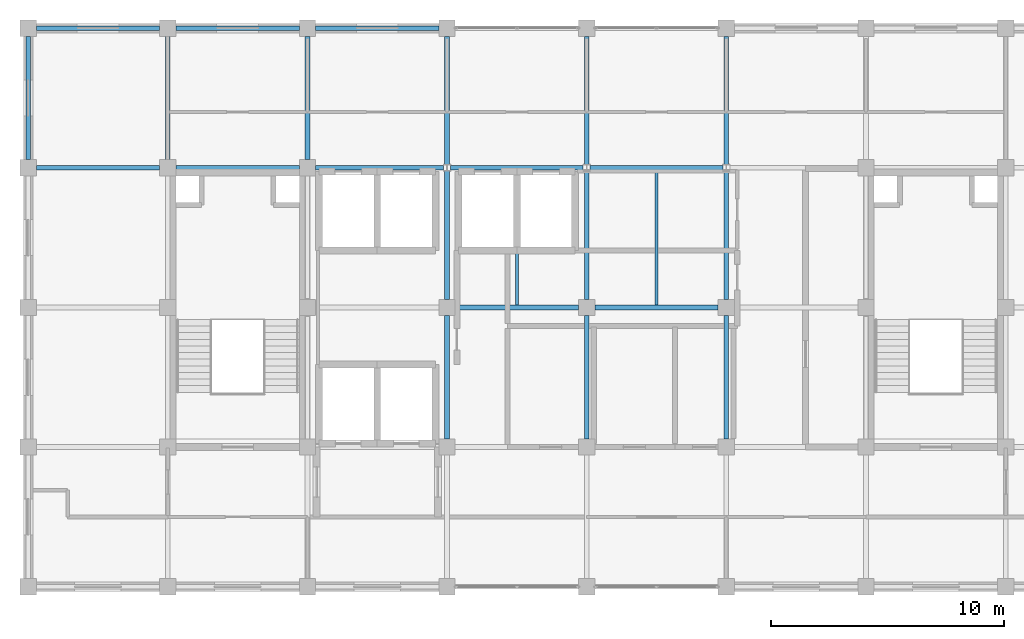
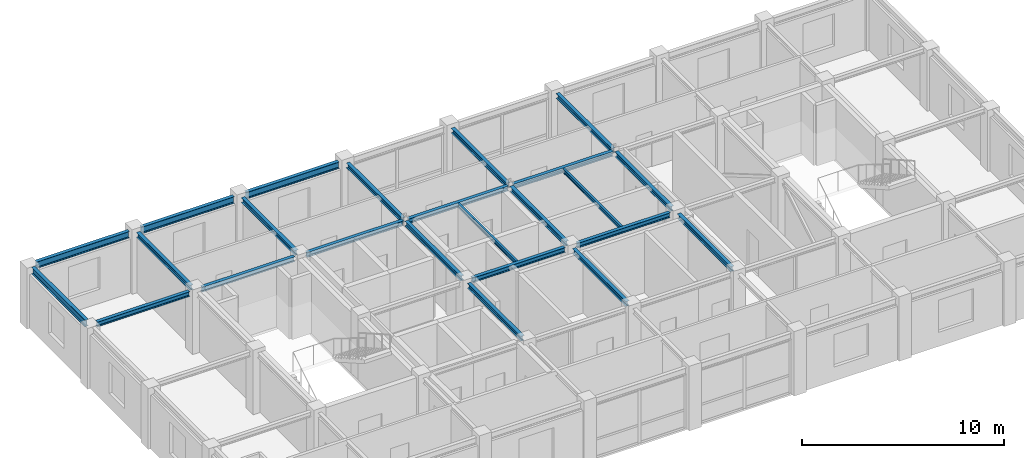
# One storey, part 5 of 11: 24 beams.
"""IFC4 building model written with IfcOpenShell, lengths in metres."""

from ifc_helpers import new_model, si_unit, direction, frame, origin, origin_2d, place, context, subcontext, project, spatial, i_section, extrude, material, material_profile, profile_set, type_object, element, save


model = new_model("IFC4")

# Units and contexts
model_context = context("Model", 3, precision=1e-05, world=origin(), true_north=direction((0.0, 1.0)))
body_context = subcontext(model_context, "Body", "Model", "MODEL_VIEW")
ifc_project = project(units=[si_unit("LENGTHUNIT", "METRE"), si_unit("AREAUNIT", "SQUARE_METRE"), si_unit("VOLUMEUNIT", "CUBIC_METRE"), si_unit("PLANEANGLEUNIT", "RADIAN"), si_unit("MASSUNIT", "GRAM", prefix="KILO")], contexts=[model_context])

# Site, building, storey
site_placement = place(None, origin())
site = spatial("IfcSite", under=ifc_project, at=site_placement, CompositionType="ELEMENT")
building_placement = place(site_placement, origin())
building = spatial("IfcBuilding", under=site, at=building_placement, Name="Zlatovratsky Civic Hall", CompositionType="ELEMENT")
storey_placement = place(building_placement, frame((0.0, 0.0, 63.89990234375)))
storey = spatial("IfcBuildingStorey", under=building, at=storey_placement, Name="L16", CompositionType="ELEMENT", Elevation=63.89990234375)

# Beams
ifc_material = material(Name="Steel S355", Category="steel")
ifc_material_profile_1 = material_profile(ifc_material, i_section(OverallWidth=0.199951171875, OverallDepth=0.39990234375, WebThickness=0.008056640625, FlangeThickness=0.012939453125, FilletRadius=0.014892578125, at=origin_2d()), Name="40B2")
ifc_profile_set_1 = profile_set([ifc_material_profile_1], Name="Steel S355")
beam_type_1 = type_object("IfcBeamType", Name="Beam_Spandrel_40B2", PredefinedType="SPANDREL", material=ifc_profile_set_1)
for number, where, z_axis, x_axis, name in (
    (1, (60.35009765625, 102.0, 3.460205078125), (1.0, 0.0, 0.0), (0.0, 1.0, 0.0), "BM-5147"),
    (2, (66.35009765625, 102.0, 3.460205078125), (1.0, 0.0, 0.0), (0.0, 1.0, 0.0), "BM-5148"),
    (3, (72.35009765625, 102.0, 3.460205078125), (1.0, 0.0, 0.0), (0.0, 1.0, 0.0), "BM-5149"),
    (4, (60.0, 96.35009765625, 3.460205078125), (0.0, 1.0, 0.0), (-1.0, 0.0, 0.0), "BM-5158"),
):
    element("IfcBeam", number, at=place(storey_placement, frame(where, z_axis=z_axis, x_axis=x_axis)), inside=storey, type_object=beam_type_1, Name=name, PredefinedType="SPANDREL", context=body_context, shape_type="SweptSolid", body=[
        extrude(i_section(OverallWidth=0.199951171875, OverallDepth=0.39990234375, WebThickness=0.008056640625, FlangeThickness=0.012939453125, FilletRadius=0.014892578125, at=origin_2d()), origin(), (0.0, 0.0, 1.0), 5.2998046875),
    ])
ifc_material_profile_2 = material_profile(ifc_material, i_section(OverallWidth=0.199951171875, OverallDepth=0.291015625, WebThickness=0.008056640625, FlangeThickness=0.010986328125, FilletRadius=0.01806640625, at=origin_2d()), Name="30Sh1")
ifc_profile_set_2 = profile_set([ifc_material_profile_2], Name="Steel S355")
beam_type_2 = type_object("IfcBeamType", Name="Beam_TowerHigh_30Sh1", PredefinedType="BEAM", material=ifc_profile_set_2)
for number, where, z_axis, x_axis, name in (
    (5, (78.35009765625, 90.0, 3.5146484375), (1.0, 0.0, 0.0), (0.0, 1.0, 0.0), "BM-5135"),
    (6, (84.35009765625, 90.0, 3.5146484375), (1.0, 0.0, 0.0), (0.0, 1.0, 0.0), "BM-5136"),
    (7, (60.35009765625, 96.0, 3.5146484375), (1.0, 0.0, 0.0), (0.0, 1.0, 0.0), "BM-5139"),
    (8, (66.35009765625, 96.0, 3.5146484375), (1.0, 0.0, 0.0), (0.0, 1.0, 0.0), "BM-5140"),
):
    element("IfcBeam", number, at=place(storey_placement, frame(where, z_axis=z_axis, x_axis=x_axis)), inside=storey, type_object=beam_type_2, Name=name, PredefinedType="BEAM", context=body_context, shape_type="SweptSolid", body=[
        extrude(i_section(OverallWidth=0.199951171875, OverallDepth=0.291015625, WebThickness=0.008056640625, FlangeThickness=0.010986328125, FilletRadius=0.01806640625, at=origin_2d()), origin(), (0.0, 0.0, 1.0), 5.2998046875),
    ])
beam_1_placement = place(storey_placement, frame((72.35009765625, 96.0, 3.5146484375), z_axis=(1.0, 0.0, 0.0), x_axis=(0.0, 1.0, 0.0)))
element("IfcBeam", 9, at=beam_1_placement, inside=storey, type_object=beam_type_2, Name="BM-5141", PredefinedType="BEAM", context=body_context, shape_type="SweptSolid", body=[
    extrude(i_section(OverallWidth=0.199951171875, OverallDepth=0.291015625, WebThickness=0.008056640625, FlangeThickness=0.010986328125, FilletRadius=0.01806640625, at=origin_2d()), origin(), (0.0, 0.0, 1.0), 5.50048828125),
])
for number, where, z_axis, x_axis, name in (
    (10, (78.1494140625, 96.0, 3.5146484375), (1.0, 0.0, 0.0), (0.0, 1.0, 0.0), "BM-5142"),
    (11, (84.1494140625, 96.0, 3.5146484375), (1.0, 0.0, 0.0), (0.0, 1.0, 0.0), "BM-5143"),
):
    element("IfcBeam", number, at=place(storey_placement, frame(where, z_axis=z_axis, x_axis=x_axis)), inside=storey, type_object=beam_type_2, Name=name, PredefinedType="BEAM", context=body_context, shape_type="SweptSolid", body=[
        extrude(i_section(OverallWidth=0.199951171875, OverallDepth=0.291015625, WebThickness=0.008056640625, FlangeThickness=0.010986328125, FilletRadius=0.01806640625, at=origin_2d()), origin(), (0.0, 0.0, 1.0), 5.701171875),
    ])
for number, where, z_axis, x_axis, name in (
    (12, (66.0, 96.35009765625, 3.5146484375), (0.0, 1.0, 0.0), (-1.0, 0.0, 0.0), "BM-5162"),
    (13, (72.0, 96.35009765625, 3.5146484375), (0.0, 1.0, 0.0), (-1.0, 0.0, 0.0), "BM-5166"),
    (14, (78.0, 84.35009765625, 3.5146484375), (0.0, 1.0, 0.0), (-1.0, 0.0, 0.0), "BM-5168"),
):
    element("IfcBeam", number, at=place(storey_placement, frame(where, z_axis=z_axis, x_axis=x_axis)), inside=storey, type_object=beam_type_2, Name=name, PredefinedType="BEAM", context=body_context, shape_type="SweptSolid", body=[
        extrude(i_section(OverallWidth=0.199951171875, OverallDepth=0.291015625, WebThickness=0.008056640625, FlangeThickness=0.010986328125, FilletRadius=0.01806640625, at=origin_2d()), origin(), (0.0, 0.0, 1.0), 5.2998046875),
    ])
for number, where, z_axis, x_axis, name in (
    (15, (78.0, 90.35009765625, 3.5146484375), (0.0, 1.0, 0.0), (-1.0, 0.0, 0.0), "BM-5169"),
    (16, (78.0, 96.14794921875, 3.5146484375), (0.0, 1.0, 0.0), (-1.0, 0.0, 0.0), "BM-5170"),
):
    element("IfcBeam", number, at=place(storey_placement, frame(where, z_axis=z_axis, x_axis=x_axis)), inside=storey, type_object=beam_type_2, Name=name, PredefinedType="BEAM", context=body_context, shape_type="SweptSolid", body=[
        extrude(i_section(OverallWidth=0.199951171875, OverallDepth=0.291015625, WebThickness=0.008056640625, FlangeThickness=0.010986328125, FilletRadius=0.01806640625, at=origin_2d()), origin(), (0.0, 0.0, 1.0), 5.501953125),
    ])
beam_2_placement = place(storey_placement, frame((84.0, 84.35009765625, 3.5146484375), z_axis=(0.0, 1.0, 0.0), x_axis=(-1.0, 0.0, 0.0)))
element("IfcBeam", 17, at=beam_2_placement, inside=storey, type_object=beam_type_2, Name="BM-5172", PredefinedType="BEAM", context=body_context, shape_type="SweptSolid", body=[
    extrude(i_section(OverallWidth=0.199951171875, OverallDepth=0.291015625, WebThickness=0.008056640625, FlangeThickness=0.010986328125, FilletRadius=0.01806640625, at=origin_2d()), origin(), (0.0, 0.0, 1.0), 5.2998046875),
])
for number, where, z_axis, x_axis, name in (
    (18, (84.0, 90.35009765625, 3.5146484375), (0.0, 1.0, 0.0), (-1.0, 0.0, 0.0), "BM-5173"),
    (19, (84.0, 96.14794921875, 3.5146484375), (0.0, 1.0, 0.0), (-1.0, 0.0, 0.0), "BM-5174"),
):
    element("IfcBeam", number, at=place(storey_placement, frame(where, z_axis=z_axis, x_axis=x_axis)), inside=storey, type_object=beam_type_2, Name=name, PredefinedType="BEAM", context=body_context, shape_type="SweptSolid", body=[
        extrude(i_section(OverallWidth=0.199951171875, OverallDepth=0.291015625, WebThickness=0.008056640625, FlangeThickness=0.010986328125, FilletRadius=0.01806640625, at=origin_2d()), origin(), (0.0, 0.0, 1.0), 5.501953125),
    ])
beam_3_placement = place(storey_placement, frame((90.0, 84.35009765625, 3.5146484375), z_axis=(0.0, 1.0, 0.0), x_axis=(-1.0, 0.0, 0.0)))
element("IfcBeam", 20, at=beam_3_placement, inside=storey, type_object=beam_type_2, Name="BM-5176", PredefinedType="BEAM", context=body_context, shape_type="SweptSolid", body=[
    extrude(i_section(OverallWidth=0.199951171875, OverallDepth=0.291015625, WebThickness=0.008056640625, FlangeThickness=0.010986328125, FilletRadius=0.01806640625, at=origin_2d()), origin(), (0.0, 0.0, 1.0), 5.2998046875),
])
for number, where, z_axis, x_axis, name in (
    (21, (90.0, 90.35009765625, 3.5146484375), (0.0, 1.0, 0.0), (-1.0, 0.0, 0.0), "BM-5177"),
    (22, (90.0, 96.14794921875, 3.5146484375), (0.0, 1.0, 0.0), (-1.0, 0.0, 0.0), "BM-5178"),
):
    element("IfcBeam", number, at=place(storey_placement, frame(where, z_axis=z_axis, x_axis=x_axis)), inside=storey, type_object=beam_type_2, Name=name, PredefinedType="BEAM", context=body_context, shape_type="SweptSolid", body=[
        extrude(i_section(OverallWidth=0.199951171875, OverallDepth=0.291015625, WebThickness=0.008056640625, FlangeThickness=0.010986328125, FilletRadius=0.01806640625, at=origin_2d()), origin(), (0.0, 0.0, 1.0), 5.501953125),
    ])
ifc_material_profile_3 = material_profile(ifc_material, i_section(OverallWidth=0.1240234375, OverallDepth=0.248046875, WebThickness=0.0048828125, FlangeThickness=0.008056640625, FilletRadius=0.011962890625, at=origin_2d()), Name="25B1")
ifc_profile_set_3 = profile_set([ifc_material_profile_3], Name="Steel S355")
beam_type_3 = type_object("IfcBeamType", Name="Joist_Upper_25B1", PredefinedType="JOIST", material=ifc_profile_set_3)
for number, where, z_axis, x_axis, name in (
    (23, (81.0, 90.10009765625, 3.5361328125), (0.0, 1.0, 0.0), (-1.0, 0.0, 0.0), "BM-5191"),
    (24, (87.0, 90.10009765625, 3.5361328125), (0.0, 1.0, 0.0), (-1.0, 0.0, 0.0), "BM-5192"),
):
    element("IfcBeam", number, at=place(storey_placement, frame(where, z_axis=z_axis, x_axis=x_axis)), inside=storey, type_object=beam_type_3, Name=name, PredefinedType="JOIST", context=body_context, shape_type="SweptSolid", body=[
        extrude(i_section(OverallWidth=0.1240234375, OverallDepth=0.248046875, WebThickness=0.0048828125, FlangeThickness=0.008056640625, FilletRadius=0.011962890625, at=origin_2d()), origin(), (0.0, 0.0, 1.0), 5.7998046875),
    ])

save(model, "model.ifc")
